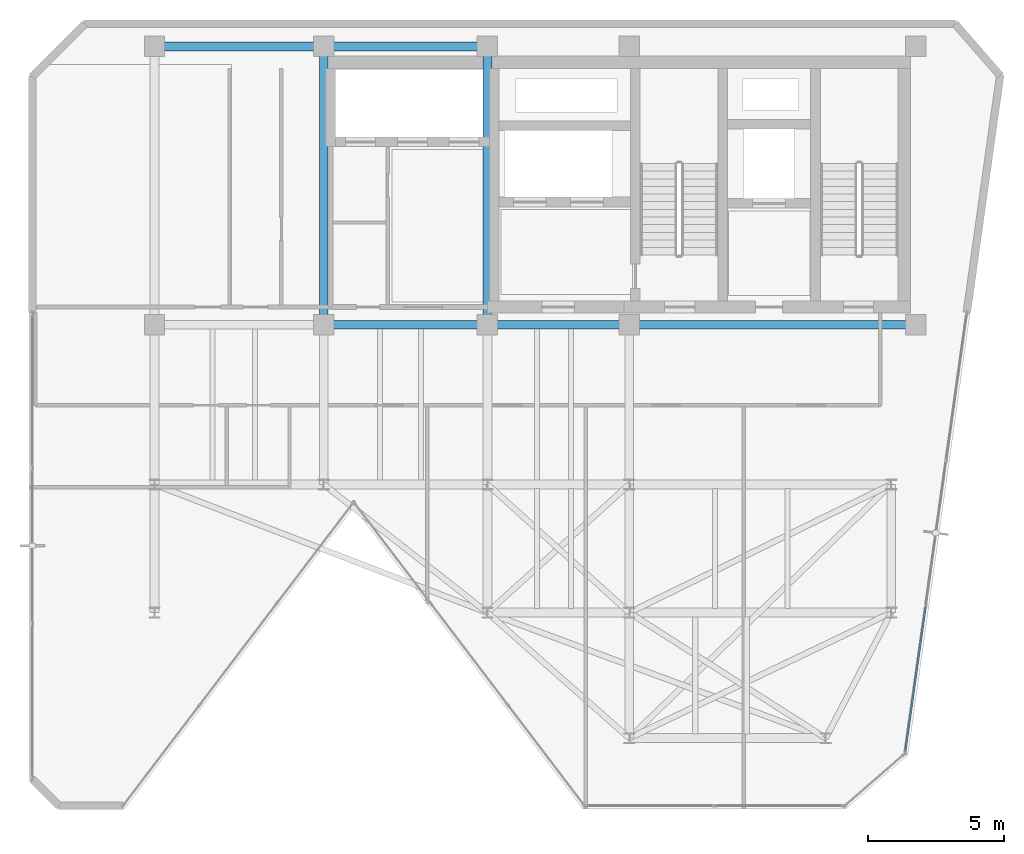
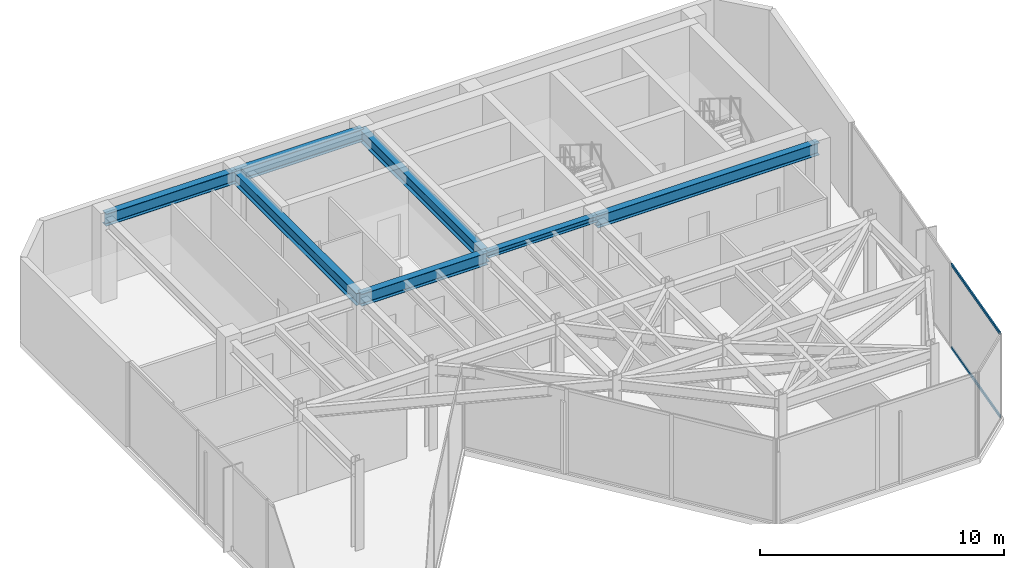
# One storey, part 11 of 17: 7 beams, 2 members, 1 element without a shape of its own.
"""IFC4 building model written with IfcOpenShell, lengths in metres."""

from ifc_helpers import new_model, si_unit, direction, frame, origin, origin_2d, place, context, subcontext, project, spatial, hollow_rectangle, i_section, extrude, material, layer, layer_set, material_profile, profile_set, type_object, element, aggregate, save


model = new_model("IFC4")

# Units and contexts
model_context = context("Model", 3, precision=1e-05, world=origin(), true_north=direction((0.0, 1.0)))
body_context = subcontext(model_context, "Body", "Model", "MODEL_VIEW")
ifc_project = project(units=[si_unit("LENGTHUNIT", "METRE"), si_unit("AREAUNIT", "SQUARE_METRE"), si_unit("VOLUMEUNIT", "CUBIC_METRE"), si_unit("PLANEANGLEUNIT", "RADIAN"), si_unit("MASSUNIT", "GRAM", prefix="KILO")], contexts=[model_context])

# Site, building, storey
site_placement = place(None, origin())
site = spatial("IfcSite", under=ifc_project, at=site_placement, CompositionType="ELEMENT")
building_placement = place(site_placement, origin())
building = spatial("IfcBuilding", under=site, at=building_placement, Name="Kravanh Interchange Tower", CompositionType="ELEMENT")
storey_placement = place(building_placement, frame((0.0, 0.0, 311.10009765625)))
storey = spatial("IfcBuildingStorey", under=building, at=storey_placement, Name="L77", CompositionType="ELEMENT", Elevation=311.10009765625)

# Curtain wall, members
ifc_material_1 = material(Name="Anodised Bronze Aluminium", Category="aluminium")
ifc_layer = layer(ifc_material_1, 0.179931640625)
ifc_layer_set = layer_set([ifc_layer], Name="Unitised Curtain Wall System CW-SKY Sky Observatory")
curtain_wall_type = type_object("IfcCurtainWallType", Name="Unitised Curtain Wall System CW-SKY Sky Observatory", PredefinedType="NOTDEFINED", material=ifc_layer_set)
curtain_wall_placement = place(storey_placement, origin())
curtain_wall = element("IfcCurtainWall", 1, at=curtain_wall_placement, inside=storey, type_object=curtain_wall_type, Name="L77 Unitised Curtain Wall CW-L77-02", PredefinedType="NOTDEFINED")
ifc_material_2 = material(Name="Anodised Bronze Aluminium", Category="aluminium")
ifc_material_profile_1 = material_profile(ifc_material_2, hollow_rectangle(XDim=0.06005859375, YDim=0.139892578125, WallThickness=0.00390625, at=origin_2d()), Name="ALU60X140X4")
ifc_profile_set_1 = profile_set([ifc_material_profile_1], Name="Anodised Bronze Aluminium")
member_type = type_object("IfcMemberType", Name="Curtain Wall Transom ALU60X140X4 Bronze", PredefinedType="USERDEFINED", material=ifc_profile_set_1)
member_1_placement = place(storey_placement, frame((66.856201171875, 26.9931640625, 0.02978515625), z_axis=(-0.13918470319, -0.990266438085, 0.0), x_axis=(0.990266438085, -0.13918470319, 0.0)))
member_1 = element("IfcMember", 2, at=member_1_placement, type_object=member_type, Name="CW-SKY transom 3.1", ObjectType="TRANSOM", PredefinedType="USERDEFINED", context=body_context, shape_type="SweptSolid", body=[
    extrude(hollow_rectangle(XDim=0.06005859375, YDim=0.139892578125, WallThickness=0.00390625, at=origin_2d()), origin(), (0.0, 0.0, 1.0), 5.334228515625),
])
member_2_placement = place(storey_placement, frame((66.856201171875, 26.9931640625, 4.18994140625), z_axis=(-0.13918470319, -0.990266438085, 0.0), x_axis=(0.990266438085, -0.13918470319, 0.0)))
member_2 = element("IfcMember", 3, at=member_2_placement, type_object=member_type, Name="CW-SKY transom 3.2", ObjectType="TRANSOM", PredefinedType="USERDEFINED", context=body_context, shape_type="SweptSolid", body=[
    extrude(hollow_rectangle(XDim=0.06005859375, YDim=0.139892578125, WallThickness=0.00390625, at=origin_2d()), origin(), (0.0, 0.0, 1.0), 5.334228515625),
])
aggregate(curtain_wall, [member_1, member_2])

# Beams
ifc_material_3 = material(Name="Structural Steel S355", Category="steel")
ifc_material_profile_2 = material_profile(ifc_material_3, i_section(OverallWidth=0.323974609375, OverallDepth=0.611083984375, WebThickness=0.0126953125, FlangeThickness=0.01904296875, FilletRadius=0.02197265625, at=origin_2d()), Name="W24X104")
ifc_profile_set_2 = profile_set([ifc_material_profile_2], Name="Structural Steel S355")
beam_type_1 = type_object("IfcBeamType", Name="Floor Beam W24X104 Structural Steel S355", PredefinedType="BEAM", material=ifc_profile_set_2)
beam_1_placement = place(storey_placement, frame((66.5, 37.35009765625, 3.914306640625), z_axis=(-1.0, 0.0, 0.0), x_axis=(0.0, -1.0, 0.0)))
element("IfcBeam", 4, at=beam_1_placement, inside=storey, type_object=beam_type_1, Name="L77 Primary Floor Girder 33", PredefinedType="BEAM", context=body_context, shape_type="SweptSolid", body=[
    extrude(i_section(OverallWidth=0.323974609375, OverallDepth=0.611083984375, WebThickness=0.0126953125, FlangeThickness=0.01904296875, FilletRadius=0.02197265625, at=origin_2d()), origin(), (0.0, 0.0, 1.0), 10.5),
])
beam_2_placement = place(storey_placement, frame((50.800048828125, 47.550048828125, 3.914306640625), z_axis=(-1.0, 0.0, 0.0), x_axis=(0.0, -1.0, 0.0)))
element("IfcBeam", 5, at=beam_2_placement, inside=storey, type_object=beam_type_1, Name="L77 Primary Floor Girder 35", PredefinedType="BEAM", context=body_context, shape_type="SweptSolid", body=[
    extrude(i_section(OverallWidth=0.323974609375, OverallDepth=0.611083984375, WebThickness=0.0126953125, FlangeThickness=0.01904296875, FilletRadius=0.02197265625, at=origin_2d()), origin(), (0.0, 0.0, 1.0), 6.0),
])
beam_3_placement = place(storey_placement, frame((50.800048828125, 47.550048828125, 3.914306640625), z_axis=(0.0, -1.0, 0.0), x_axis=(1.0, 0.0, 0.0)))
element("IfcBeam", 6, at=beam_3_placement, inside=storey, type_object=beam_type_1, Name="L77 Primary Floor Girder 36", PredefinedType="BEAM", context=body_context, shape_type="SweptSolid", body=[
    extrude(i_section(OverallWidth=0.323974609375, OverallDepth=0.611083984375, WebThickness=0.0126953125, FlangeThickness=0.01904296875, FilletRadius=0.02197265625, at=origin_2d()), origin(), (0.0, 0.0, 1.0), 10.199951171875),
])
beam_4_placement = place(storey_placement, frame((50.800048828125, 37.35009765625, 3.914306640625), z_axis=(-1.0, 0.0, 0.0), x_axis=(0.0, -1.0, 0.0)))
element("IfcBeam", 7, at=beam_4_placement, inside=storey, type_object=beam_type_1, Name="L77 Primary Floor Girder 37", PredefinedType="BEAM", context=body_context, shape_type="SweptSolid", body=[
    extrude(i_section(OverallWidth=0.323974609375, OverallDepth=0.611083984375, WebThickness=0.0126953125, FlangeThickness=0.01904296875, FilletRadius=0.02197265625, at=origin_2d()), origin(), (0.0, 0.0, 1.0), 6.0),
])
beam_5_placement = place(storey_placement, frame((44.800048828125, 37.35009765625, 3.914306640625), z_axis=(0.0, 1.0, 0.0), x_axis=(-1.0, 0.0, 0.0)))
element("IfcBeam", 8, at=beam_5_placement, inside=storey, type_object=beam_type_1, Name="L77 Primary Floor Girder 39", PredefinedType="BEAM", context=body_context, shape_type="SweptSolid", body=[
    extrude(i_section(OverallWidth=0.323974609375, OverallDepth=0.611083984375, WebThickness=0.0126953125, FlangeThickness=0.01904296875, FilletRadius=0.02197265625, at=origin_2d()), origin(), (0.0, 0.0, 1.0), 10.199951171875),
])
beam_6_placement = place(storey_placement, frame((44.800048828125, 47.550048828125, 3.914306640625), z_axis=(-1.0, 0.0, 0.0), x_axis=(0.0, -1.0, 0.0)))
element("IfcBeam", 9, at=beam_6_placement, inside=storey, type_object=beam_type_1, Name="L77 Primary Floor Girder 40", PredefinedType="BEAM", context=body_context, shape_type="SweptSolid", body=[
    extrude(i_section(OverallWidth=0.323974609375, OverallDepth=0.611083984375, WebThickness=0.0126953125, FlangeThickness=0.01904296875, FilletRadius=0.02197265625, at=origin_2d()), origin(), (0.0, 0.0, 1.0), 6.199951171875),
])
ifc_material_4 = material(Name="Structural Steel S355", Category="steel")
ifc_material_profile_3 = material_profile(ifc_material_4, i_section(OverallWidth=0.304931640625, OverallDepth=0.306884765625, WebThickness=0.010009765625, FlangeThickness=0.015380859375, FilletRadius=0.014892578125, at=origin_2d()), Name="W12X65")
ifc_profile_set_3 = profile_set([ifc_material_profile_3], Name="Structural Steel S355")
beam_type_2 = type_object("IfcBeamType", Name="Floor Lintel W12X65 Structural Steel S355", PredefinedType="LINTEL", material=ifc_profile_set_3)
beam_7_placement = place(storey_placement, frame((50.800048828125, 37.35009765625, 4.06640625), z_axis=(1.0, 0.0, 0.0), x_axis=(0.0, 1.0, 0.0)))
element("IfcBeam", 10, at=beam_7_placement, inside=storey, type_object=beam_type_2, Name="L77 Core Coupling Lintel 1", PredefinedType="LINTEL", context=body_context, shape_type="SweptSolid", body=[
    extrude(i_section(OverallWidth=0.304931640625, OverallDepth=0.306884765625, WebThickness=0.010009765625, FlangeThickness=0.015380859375, FilletRadius=0.014892578125, at=origin_2d()), origin(), (0.0, 0.0, 1.0), 5.199951171875),
])

save(model, "model.ifc")
